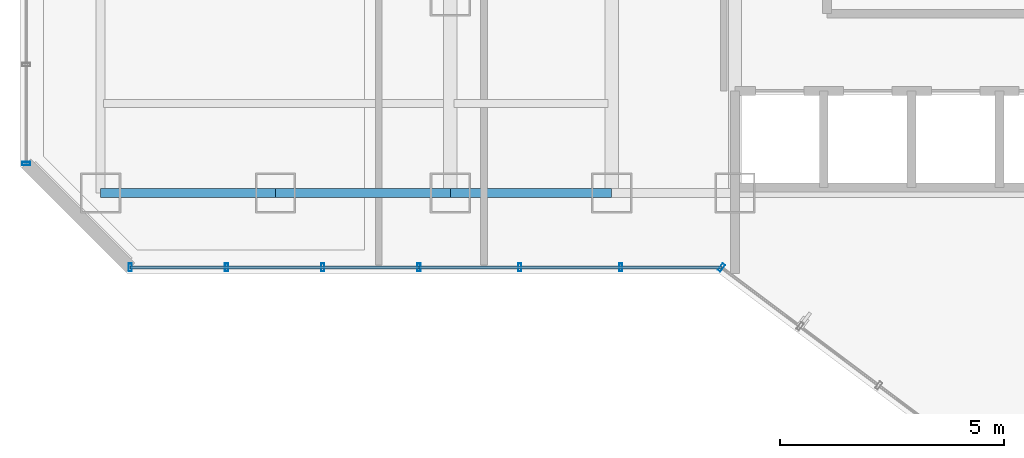
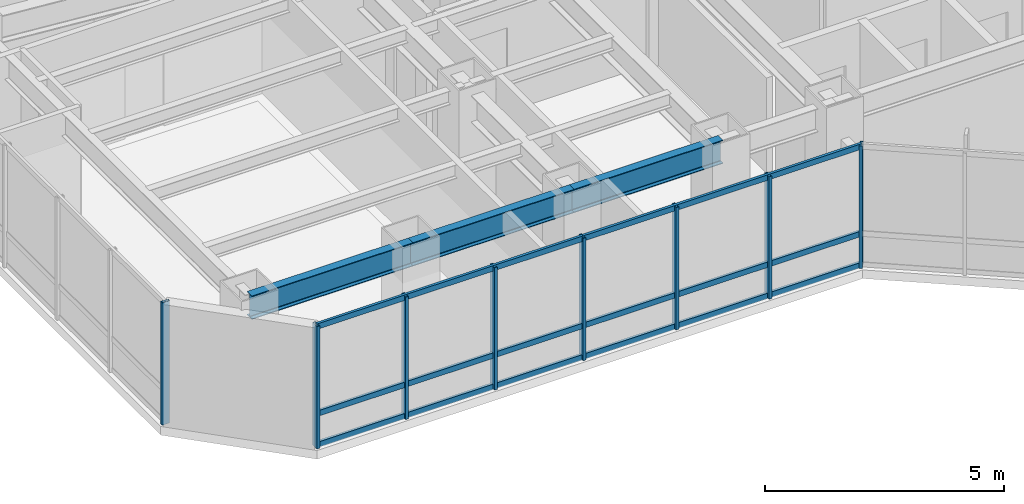
# One storey, part 5 of 36: 14 members, 3 beams, 4 elements without a shape of their own.
"""IFC4 building model written with IfcOpenShell, lengths in metres."""

import ifcopenshell
import ifcopenshell.guid

model = None  # the IFC model being written
_history = None  # IfcOwnerHistory: only IFC2X3 demands one
_inside = {}  # id of a spatial element -> (the spatial element, [elements in it])
_under = {}  # id of a project, library or spatial element -> (it, [spatial elements below it])
_declared = {}  # id of a project -> (the project, [libraries it declares])
_typed = {}  # id of a type object -> (the type object, [elements of that type])
_made_of = {}  # id of a material, layer set ... -> (it, [elements and type objects made of it])


def new_model(schema):
    """Start an empty IFC model of exactly this schema.

    Asked for "IFC4X3", IfcOpenShell would pick the latest addendum, in which some entities
    have other attributes; the version numbers below select the first issue.
    IFC2X3 requires an IfcOwnerHistory on every rooted entity: one is made here for all.
    """
    global model, _history
    if schema == "IFC4X3":
        model = ifcopenshell.file(schema_version=(4, 3, 0, 0))
    else:
        model = ifcopenshell.file(schema=schema)
    _inside.clear()
    _under.clear()
    _declared.clear()
    _typed.clear()
    _made_of.clear()
    _history = None
    if model.schema == "IFC2X3":
        org = make("IfcOrganization", Name="unknown")
        user = make(
            "IfcPersonAndOrganization",
            ThePerson=make("IfcPerson", FamilyName="unknown"),
            TheOrganization=org,
        )
        app = make(
            "IfcApplication",
            ApplicationDeveloper=org,
            Version="unknown",
            ApplicationFullName="unknown",
            ApplicationIdentifier="unknown",
        )
        _history = make(
            "IfcOwnerHistory",
            OwningUser=user,
            OwningApplication=app,
            ChangeAction="ADDED",
            CreationDate=0,
        )
    return model


def make(cls, **values):
    """One entity of the class cls with the attributes given. An attribute that is None is left unset."""
    return model.create_entity(
        cls, **{name: value for name, value in values.items() if value is not None}
    )


def rooted(cls, **values):
    """An entity with a GlobalId (a new one), such as an element, a storey or a relation."""
    return make(cls, GlobalId=ifcopenshell.guid.new(), OwnerHistory=_history, **values)


def si_unit(unit_type, name, prefix=None):
    """IfcSIUnit, for example si_unit("LENGTHUNIT", "METRE", prefix="MILLI")."""
    return make("IfcSIUnit", UnitType=unit_type, Prefix=prefix, Name=name)


def assignment(units):
    """IfcUnitAssignment: the units of a project."""
    return None if units is None else make("IfcUnitAssignment", Units=units)


def point(xyz):
    """IfcCartesianPoint."""
    return None if xyz is None else make("IfcCartesianPoint", Coordinates=xyz)


def direction(xyz):
    """IfcDirection."""
    return None if xyz is None else make("IfcDirection", DirectionRatios=xyz)


def frame(location, z_axis=None, x_axis=None):
    """IfcAxis2Placement3D, a coordinate frame: its origin and axes. An axis left out is left unset."""
    return make(
        "IfcAxis2Placement3D",
        Location=point(location),
        Axis=direction(z_axis),
        RefDirection=direction(x_axis),
    )


def frame_2d(location, x_axis=None):
    """IfcAxis2Placement2D, a coordinate frame in the plane: its origin and x axis."""
    return make(
        "IfcAxis2Placement2D", Location=point(location), RefDirection=direction(x_axis)
    )


def origin():
    """The frame at (0, 0, 0) with its axes left unset."""
    return frame((0.0, 0.0, 0.0))


def origin_2d():
    """The frame at (0, 0) in the plane with its x axis left unset."""
    return frame_2d((0.0, 0.0))


def place(relative_to, where):
    """IfcLocalPlacement: puts the frame where relative to a parent placement (None: the world)."""
    return make(
        "IfcLocalPlacement", PlacementRelTo=relative_to, RelativePlacement=where
    )


def context(
    kind, dimensions, precision=None, world=None, true_north=None, identifier=None
):
    """IfcGeometricRepresentationContext, for example the 3D "Model" context."""
    return make(
        "IfcGeometricRepresentationContext",
        ContextIdentifier=identifier,
        ContextType=kind,
        CoordinateSpaceDimension=dimensions,
        Precision=precision,
        WorldCoordinateSystem=world,
        TrueNorth=true_north,
    )


def subcontext(parent, identifier, kind, view, scale=None):
    """IfcGeometricRepresentationSubContext, for example "Body" below "Model"."""
    return make(
        "IfcGeometricRepresentationSubContext",
        ContextIdentifier=identifier,
        ContextType=kind,
        ParentContext=parent,
        TargetScale=scale,
        TargetView=view,
    )


def project(units=None, contexts=None):
    """IfcProject with its units and contexts."""
    return rooted(
        "IfcProject",
        Name="project",
        RepresentationContexts=contexts,
        UnitsInContext=assignment(units),
    )


def spatial(cls, under=None, at=None, **own):
    """A site, building, storey or space (cls), placed at a placement, below another one or the project."""
    s = rooted(cls, ObjectPlacement=at, **own)
    if under is not None:
        _under.setdefault(under.id(), (under, []))[1].append(s)
    return s


def profile(cls, at=None, kind="AREA", **sizes):
    """A parametric profile (cls). Its sizes go by their IFC names, for example OverallWidth=200.0."""
    return make(cls, ProfileType=kind, Position=at, **sizes)


def hollow_rectangle(**sizes):
    """IfcRectangleHollowProfileDef."""
    return profile("IfcRectangleHollowProfileDef", **sizes)


def i_section(**sizes):
    """IfcIShapeProfileDef."""
    return profile("IfcIShapeProfileDef", **sizes)


def extrude(swept, where, along, depth):
    """IfcExtrudedAreaSolid: the profile swept, set in the frame where, extruded along a direction by depth."""
    return make(
        "IfcExtrudedAreaSolid",
        SweptArea=swept,
        Position=where,
        ExtrudedDirection=direction(along),
        Depth=depth,
    )


def shape(context_of_items, identifier, shape_type, items):
    """IfcShapeRepresentation: the items that make up one representation, for example the "Body"."""
    return make(
        "IfcShapeRepresentation",
        ContextOfItems=context_of_items,
        RepresentationIdentifier=identifier,
        RepresentationType=shape_type,
        Items=items,
    )


def material(Name=None, Category=None):
    """IfcMaterial."""
    return make("IfcMaterial", Name=Name, Category=Category)


def layer(
    of_material, thickness, ventilated=None, Name=None, Category=None, Priority=None
):
    """IfcMaterialLayer: one layer of a wall or slab, of a material (None: an air gap)."""
    return make(
        "IfcMaterialLayer",
        Material=of_material,
        LayerThickness=thickness,
        IsVentilated=ventilated,
        Name=Name,
        Category=Category,
        Priority=Priority,
    )


def layer_set(layers, Name=None):
    """IfcMaterialLayerSet."""
    return make("IfcMaterialLayerSet", MaterialLayers=layers, LayerSetName=Name)


def material_profile(
    of_material, cross_section, Name=None, Category=None, Priority=None
):
    """IfcMaterialProfile: a cross section and its material."""
    return make(
        "IfcMaterialProfile",
        Name=Name,
        Material=of_material,
        Profile=cross_section,
        Priority=Priority,
        Category=Category,
    )


def profile_set(profiles, Name=None, composite=None):
    """IfcMaterialProfileSet."""
    return make(
        "IfcMaterialProfileSet",
        Name=Name,
        MaterialProfiles=profiles,
        CompositeProfile=composite,
    )


def made_of(thing, what):
    """Note that an element or type object is made of a material, layer set ...; save() writes the relation."""
    if what is not None:
        _made_of.setdefault(what.id(), (what, []))[1].append(thing)
    return thing


def type_object(cls, material=None, **own):
    """A type object (cls), such as IfcWallType, which elements share."""
    return made_of(rooted(cls, **own), material)


def element(
    cls,
    number,
    at=None,
    inside=None,
    cuts=None,
    type_object=None,
    material=None,
    context=None,
    identifier="Body",
    shape_type=None,
    held_by="IfcProductDefinitionShape",
    body=None,
    shapes=None,
    **own,
):
    """One element of the class cls, such as IfcWall. Its Tag is "e" and its number.

    at: its placement. inside: the storey or other place that contains it. cuts: it is an
    opening in that element (IfcRelVoidsElement). A single representation is given by context,
    identifier, shape_type and body (its items); several are given by shapes. held_by: the class
    of the entity that holds the representations. save() writes the other relations.
    """
    e = rooted(cls, Tag="e%d" % number, ObjectPlacement=at, **own)
    if body is not None:
        shapes = [shape(context, identifier, shape_type, body)]
    if shapes is not None:
        e.Representation = make(held_by, Representations=shapes)
    if inside is not None:
        _inside.setdefault(inside.id(), (inside, []))[1].append(e)
    if cuts is not None:
        rooted(
            "IfcRelVoidsElement", RelatingBuildingElement=cuts, RelatedOpeningElement=e
        )
    if type_object is not None:
        _typed.setdefault(type_object.id(), (type_object, []))[1].append(e)
    return made_of(e, material)


def aggregate(whole, parts):
    """IfcRelAggregates: a whole, such as a stair, and the parts it consists of."""
    return rooted("IfcRelAggregates", RelatingObject=whole, RelatedObjects=parts)


def save(model, path):
    """Write the relations noted so far, then the file.

    IfcRelAggregates (storeys below a building ...), IfcRelContainedInSpatialStructure (elements
    in a storey), IfcRelDefinesByType, IfcRelAssociatesMaterial and IfcRelDeclares: one each for
    every whole, place, type object, material and project.
    """
    for whole, parts in _under.values():
        aggregate(whole, parts)
    for where, things in _inside.values():
        rooted(
            "IfcRelContainedInSpatialStructure",
            RelatedElements=things,
            RelatingStructure=where,
        )
    for kind, things in _typed.values():
        rooted("IfcRelDefinesByType", RelatedObjects=things, RelatingType=kind)
    for what, things in _made_of.values():
        rooted("IfcRelAssociatesMaterial", RelatedObjects=things, RelatingMaterial=what)
    for by, libraries in _declared.values():
        rooted("IfcRelDeclares", RelatingContext=by, RelatedDefinitions=libraries)
    model.write(path)


model = new_model("IFC4")

# Units and contexts
model_context = context("Model", 3, precision=1e-05, world=origin(), true_north=direction((0.0, 1.0)))
body_context = subcontext(model_context, "Body", "Model", "MODEL_VIEW")
ifc_project = project(units=[si_unit("LENGTHUNIT", "METRE"), si_unit("AREAUNIT", "SQUARE_METRE"), si_unit("VOLUMEUNIT", "CUBIC_METRE"), si_unit("PLANEANGLEUNIT", "RADIAN"), si_unit("MASSUNIT", "GRAM", prefix="KILO")], contexts=[model_context])

# Site, building, storey
site_placement = place(None, origin())
site = spatial("IfcSite", under=ifc_project, at=site_placement, CompositionType="ELEMENT")
building_placement = place(site_placement, origin())
building = spatial("IfcBuilding", under=site, at=building_placement, Name="Hatsunagi Terrace Concourse", CompositionType="ELEMENT")
storey_placement = place(building_placement, frame((0.0, 0.0, 84.64990234375)))
storey = spatial("IfcBuildingStorey", under=building, at=storey_placement, Name="L22", CompositionType="ELEMENT", Elevation=84.64990234375)

# Curtain wall, member
ifc_material_1 = material(Name="Anodised Aluminium Alloy 6063-T5", Category="aluminium")
ifc_layer = layer(ifc_material_1, 0.199951171875)
ifc_layer_set = layer_set([ifc_layer], Name="HotelFacade_CW02")
curtain_wall_type = type_object("IfcCurtainWallType", Name="HotelFacade_CW02", PredefinedType="NOTDEFINED", material=ifc_layer_set)
curtain_wall_1_placement = place(storey_placement, origin())
curtain_wall_1 = element("IfcCurtainWall", 1, at=curtain_wall_1_placement, inside=storey, type_object=curtain_wall_type, Name="Unitised Curtain Wall CW-02 CW-L22-05", PredefinedType="NOTDEFINED")
ifc_material_2 = material(Name="Anodised Aluminium Alloy 6063-T5", Category="aluminium")
ifc_material_profile_1 = material_profile(ifc_material_2, hollow_rectangle(XDim=0.070068359375, YDim=0.179931640625, WallThickness=0.00390625, at=origin_2d()), Name="ALU-MUL-180x70x4")
ifc_profile_set_1 = profile_set([ifc_material_profile_1], Name="Anodised Aluminium Alloy 6063-T5")
member_type_1 = type_object("IfcMemberType", Name="CurtainWallMullion_180x70", PredefinedType="MULLION", material=ifc_profile_set_1)
member_1_placement = place(storey_placement, frame((25.2470703125, 23.5400390625, 0.0), z_axis=(0.0, 0.0, 1.0), x_axis=(-0.800003116929, 0.599995844072, 0.0)))
member_1 = element("IfcMember", 2, at=member_1_placement, type_object=member_type_1, Name="Curtain Wall Mullion MUL-02", PredefinedType="MULLION", context=body_context, shape_type="SweptSolid", body=[
    extrude(hollow_rectangle(XDim=0.070068359375, YDim=0.179931640625, WallThickness=0.00390625, at=origin_2d()), origin(), (0.0, 0.0, 1.0), 3.130126953125),
])
aggregate(curtain_wall_1, [member_1])

# Curtain wall, members
curtain_wall_2_placement = place(storey_placement, origin())
curtain_wall_2 = element("IfcCurtainWall", 3, at=curtain_wall_2_placement, inside=storey, type_object=curtain_wall_type, Name="Unitised Curtain Wall CW-02 CW-L22-06", PredefinedType="NOTDEFINED")
member_2_placement = place(storey_placement, frame((22.998046875, 23.5400390625, 0.0), z_axis=(0.0, 0.0, 1.0), x_axis=(-1.0, 0.0, 0.0)))
member_2 = element("IfcMember", 4, at=member_2_placement, type_object=member_type_1, Name="Curtain Wall Mullion MUL-02", PredefinedType="MULLION", context=body_context, shape_type="SweptSolid", body=[
    extrude(hollow_rectangle(XDim=0.070068359375, YDim=0.179931640625, WallThickness=0.00390625, at=origin_2d()), origin(), (0.0, 0.0, 1.0), 3.130126953125),
])
member_3_placement = place(storey_placement, frame((20.7490234375, 23.5400390625, 0.0), z_axis=(0.0, 0.0, 1.0), x_axis=(-1.0, 0.0, 0.0)))
member_3 = element("IfcMember", 5, at=member_3_placement, type_object=member_type_1, Name="Curtain Wall Mullion MUL-02", PredefinedType="MULLION", context=body_context, shape_type="SweptSolid", body=[
    extrude(hollow_rectangle(XDim=0.070068359375, YDim=0.179931640625, WallThickness=0.00390625, at=origin_2d()), origin(), (0.0, 0.0, 1.0), 3.130126953125),
])
member_4_placement = place(storey_placement, frame((18.5, 23.5400390625, 0.0), z_axis=(0.0, 0.0, 1.0), x_axis=(-1.0, 0.0, 0.0)))
member_4 = element("IfcMember", 6, at=member_4_placement, type_object=member_type_1, Name="Curtain Wall Mullion MUL-02", PredefinedType="MULLION", context=body_context, shape_type="SweptSolid", body=[
    extrude(hollow_rectangle(XDim=0.070068359375, YDim=0.179931640625, WallThickness=0.00390625, at=origin_2d()), origin(), (0.0, 0.0, 1.0), 3.130126953125),
])

curtain_wall_3_placement = place(storey_placement, origin())
curtain_wall_3 = element("IfcCurtainWall", 7, at=curtain_wall_3_placement, inside=storey, type_object=curtain_wall_type, Name="Unitised Curtain Wall CW-02 CW-L22-07", PredefinedType="NOTDEFINED")
member_5_placement = place(storey_placement, frame((16.35302734375, 23.5400390625, 0.0), z_axis=(0.0, 0.0, 1.0), x_axis=(-1.0, 0.0, 0.0)))
member_5 = element("IfcMember", 8, at=member_5_placement, type_object=member_type_1, Name="Curtain Wall Mullion MUL-02", PredefinedType="MULLION", context=body_context, shape_type="SweptSolid", body=[
    extrude(hollow_rectangle(XDim=0.070068359375, YDim=0.179931640625, WallThickness=0.00390625, at=origin_2d()), origin(), (0.0, 0.0, 1.0), 3.130126953125),
])
member_6_placement = place(storey_placement, frame((14.205078125, 23.5400390625, 0.0), z_axis=(0.0, 0.0, 1.0), x_axis=(-1.0, 0.0, 0.0)))
member_6 = element("IfcMember", 9, at=member_6_placement, type_object=member_type_1, Name="Curtain Wall Mullion MUL-02", PredefinedType="MULLION", context=body_context, shape_type="SweptSolid", body=[
    extrude(hollow_rectangle(XDim=0.070068359375, YDim=0.179931640625, WallThickness=0.00390625, at=origin_2d()), origin(), (0.0, 0.0, 1.0), 3.130126953125),
])
member_7_placement = place(storey_placement, frame((12.05810546875, 23.5400390625, 0.0), z_axis=(0.0, 0.0, 1.0), x_axis=(-1.0, 0.0, 0.0)))
member_7 = element("IfcMember", 10, at=member_7_placement, type_object=member_type_1, Name="Curtain Wall Mullion MUL-02", PredefinedType="MULLION", context=body_context, shape_type="SweptSolid", body=[
    extrude(hollow_rectangle(XDim=0.070068359375, YDim=0.179931640625, WallThickness=0.00390625, at=origin_2d()), origin(), (0.0, 0.0, 1.0), 3.130126953125),
])

# Curtain wall, member
curtain_wall_4_placement = place(storey_placement, origin())
curtain_wall_4 = element("IfcCurtainWall", 11, at=curtain_wall_4_placement, inside=storey, type_object=curtain_wall_type, Name="Unitised Curtain Wall CW-02 CW-L22-09", PredefinedType="NOTDEFINED")
member_8_placement = place(storey_placement, frame((9.739990234375, 25.85791015625, 0.0), z_axis=(0.0, 0.0, 1.0), x_axis=(0.0, 1.0, 0.0)))
member_8 = element("IfcMember", 12, at=member_8_placement, type_object=member_type_1, Name="Curtain Wall Mullion MUL-02", PredefinedType="MULLION", context=body_context, shape_type="SweptSolid", body=[
    extrude(hollow_rectangle(XDim=0.070068359375, YDim=0.179931640625, WallThickness=0.00390625, at=origin_2d()), origin(), (0.0, 0.0, 1.0), 3.130126953125),
])
aggregate(curtain_wall_4, [member_8])

# Member
ifc_material_3 = material(Name="Anodised Aluminium Alloy 6063-T5", Category="aluminium")
ifc_material_profile_2 = material_profile(ifc_material_3, hollow_rectangle(XDim=0.06494140625, YDim=0.139892578125, WallThickness=0.00390625, at=origin_2d()), Name="ALU-TRN-140x65x4")
ifc_profile_set_2 = profile_set([ifc_material_profile_2], Name="Anodised Aluminium Alloy 6063-T5")
member_type_2 = type_object("IfcMemberType", Name="CurtainWallTransom_140x65", PredefinedType="USERDEFINED", material=ifc_profile_set_2)
member_9_placement = place(storey_placement, frame((25.2470703125, 23.5400390625, 0.050048828125), z_axis=(-1.0, 0.0, 0.0), x_axis=(0.0, -1.0, 0.0)))
member_9 = element("IfcMember", 13, at=member_9_placement, type_object=member_type_2, Name="Curtain Wall Transom TRN-02", ObjectType="TRANSOM", PredefinedType="USERDEFINED", context=body_context, shape_type="SweptSolid", body=[
    extrude(hollow_rectangle(XDim=0.06494140625, YDim=0.139892578125, WallThickness=0.00390625, at=origin_2d()), origin(), (0.0, 0.0, 1.0), 6.7470703125),
])

member_10_placement = place(storey_placement, frame((25.2470703125, 23.5400390625, 0.85009765625), z_axis=(-1.0, 0.0, 0.0), x_axis=(0.0, -1.0, 0.0)))
member_10 = element("IfcMember", 14, at=member_10_placement, type_object=member_type_2, Name="Curtain Wall Transom TRN-02", ObjectType="TRANSOM", PredefinedType="USERDEFINED", context=body_context, shape_type="SweptSolid", body=[
    extrude(hollow_rectangle(XDim=0.06494140625, YDim=0.139892578125, WallThickness=0.00390625, at=origin_2d()), origin(), (0.0, 0.0, 1.0), 6.7470703125),
])

member_11_placement = place(storey_placement, frame((25.2470703125, 23.5400390625, 3.080078125), z_axis=(-1.0, 0.0, 0.0), x_axis=(0.0, -1.0, 0.0)))
member_11 = element("IfcMember", 15, at=member_11_placement, type_object=member_type_2, Name="Curtain Wall Transom TRN-02", ObjectType="TRANSOM", PredefinedType="USERDEFINED", context=body_context, shape_type="SweptSolid", body=[
    extrude(hollow_rectangle(XDim=0.06494140625, YDim=0.139892578125, WallThickness=0.00390625, at=origin_2d()), origin(), (0.0, 0.0, 1.0), 6.7470703125),
])

aggregate(curtain_wall_2, [member_2, member_3, member_4, member_9, member_10, member_11])

member_12_placement = place(storey_placement, frame((18.5, 23.5400390625, 0.050048828125), z_axis=(-1.0, 0.0, 0.0), x_axis=(0.0, -1.0, 0.0)))
member_12 = element("IfcMember", 16, at=member_12_placement, type_object=member_type_2, Name="Curtain Wall Transom TRN-02", ObjectType="TRANSOM", PredefinedType="USERDEFINED", context=body_context, shape_type="SweptSolid", body=[
    extrude(hollow_rectangle(XDim=0.06494140625, YDim=0.139892578125, WallThickness=0.00390625, at=origin_2d()), origin(), (0.0, 0.0, 1.0), 6.44189453125),
])

member_13_placement = place(storey_placement, frame((18.5, 23.5400390625, 0.85009765625), z_axis=(-1.0, 0.0, 0.0), x_axis=(0.0, -1.0, 0.0)))
member_13 = element("IfcMember", 17, at=member_13_placement, type_object=member_type_2, Name="Curtain Wall Transom TRN-02", ObjectType="TRANSOM", PredefinedType="USERDEFINED", context=body_context, shape_type="SweptSolid", body=[
    extrude(hollow_rectangle(XDim=0.06494140625, YDim=0.139892578125, WallThickness=0.00390625, at=origin_2d()), origin(), (0.0, 0.0, 1.0), 6.44189453125),
])

member_14_placement = place(storey_placement, frame((18.5, 23.5400390625, 3.080078125), z_axis=(-1.0, 0.0, 0.0), x_axis=(0.0, -1.0, 0.0)))
member_14 = element("IfcMember", 18, at=member_14_placement, type_object=member_type_2, Name="Curtain Wall Transom TRN-02", ObjectType="TRANSOM", PredefinedType="USERDEFINED", context=body_context, shape_type="SweptSolid", body=[
    extrude(hollow_rectangle(XDim=0.06494140625, YDim=0.139892578125, WallThickness=0.00390625, at=origin_2d()), origin(), (0.0, 0.0, 1.0), 6.44189453125),
])

aggregate(curtain_wall_3, [member_5, member_6, member_7, member_12, member_13, member_14])

# Beams
ifc_material_4 = material(Name="Steel SN490B", Category="steel")
ifc_material_profile_3 = material_profile(ifc_material_4, i_section(OverallWidth=0.199951171875, OverallDepth=0.60009765625, WebThickness=0.010986328125, FlangeThickness=0.01708984375, FilletRadius=0.01806640625, at=origin_2d()), Name="H-600x200x11x17")
ifc_profile_set_3 = profile_set([ifc_material_profile_3], Name="Steel SN490B")
beam_type = type_object("IfcBeamType", Name="PerimeterSpandrel_H_600x200", PredefinedType="SPANDREL", material=ifc_profile_set_3)
beam_1_placement = place(storey_placement, frame((11.39990234375, 25.199951171875, 2.830078125), z_axis=(1.0, 0.0, 0.0), x_axis=(0.0, 1.0, 0.0)))
element("IfcBeam", 19, at=beam_1_placement, inside=storey, type_object=beam_type, Name="Beam SP-01 BM-L22-WS-11", PredefinedType="SPANDREL", context=body_context, shape_type="SweptSolid", body=[
    extrude(i_section(OverallWidth=0.199951171875, OverallDepth=0.60009765625, WebThickness=0.010986328125, FlangeThickness=0.01708984375, FilletRadius=0.01806640625, at=origin_2d()), origin(), (0.0, 0.0, 1.0), 3.900146484375),
])
beam_2_placement = place(storey_placement, frame((15.300048828125, 25.199951171875, 2.830078125), z_axis=(1.0, 0.0, 0.0), x_axis=(0.0, 1.0, 0.0)))
element("IfcBeam", 20, at=beam_2_placement, inside=storey, type_object=beam_type, Name="Beam SP-01 BM-L22-WS-15", PredefinedType="SPANDREL", context=body_context, shape_type="SweptSolid", body=[
    extrude(i_section(OverallWidth=0.199951171875, OverallDepth=0.60009765625, WebThickness=0.010986328125, FlangeThickness=0.01708984375, FilletRadius=0.01806640625, at=origin_2d()), origin(), (0.0, 0.0, 1.0), 3.89990234375),
])
beam_3_placement = place(storey_placement, frame((19.199951171875, 25.199951171875, 2.830078125), z_axis=(1.0, 0.0, 0.0), x_axis=(0.0, 1.0, 0.0)))
element("IfcBeam", 21, at=beam_3_placement, inside=storey, type_object=beam_type, Name="Beam SP-01 BM-L22-WS-19", PredefinedType="SPANDREL", context=body_context, shape_type="SweptSolid", body=[
    extrude(i_section(OverallWidth=0.199951171875, OverallDepth=0.60009765625, WebThickness=0.010986328125, FlangeThickness=0.01708984375, FilletRadius=0.01806640625, at=origin_2d()), origin(), (0.0, 0.0, 1.0), 3.60009765625),
])

save(model, "model.ifc")
